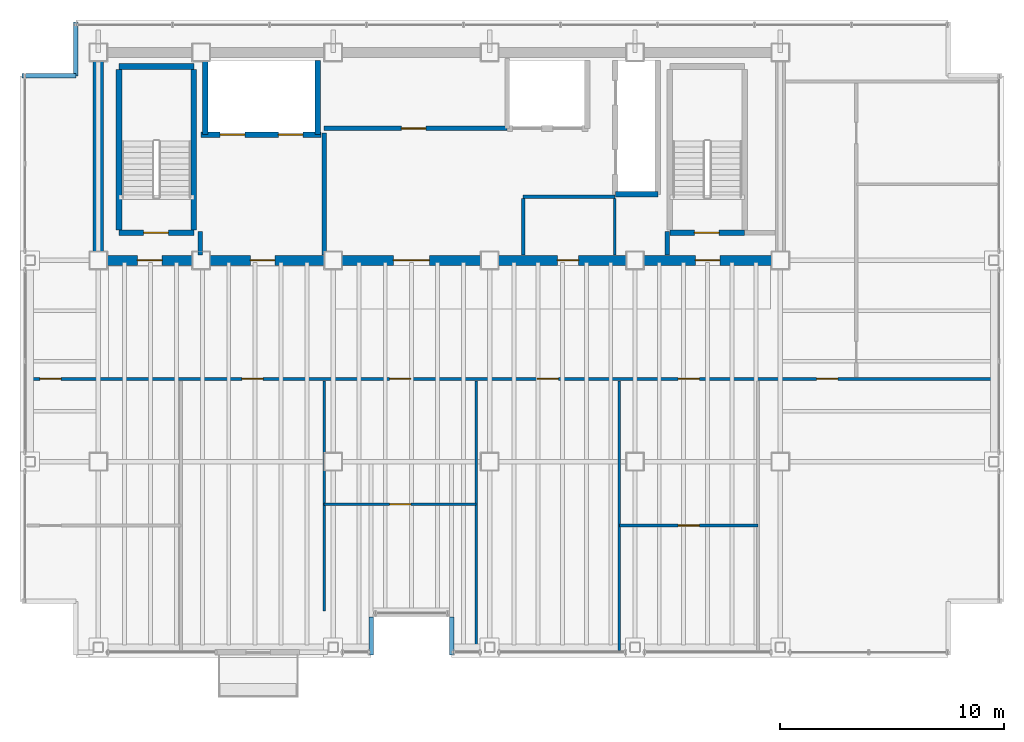
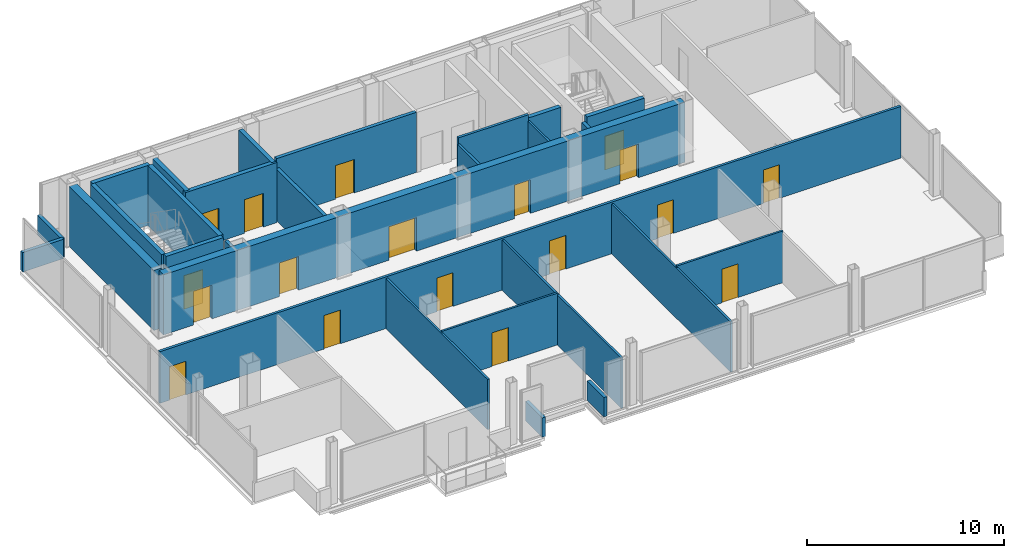
# One storey, part 13 of 15: 28 walls, 18 doors, 18 openings.
"""IFC4 building model written with IfcOpenShell, lengths in metres."""

import ifcopenshell
import ifcopenshell.guid

model = None  # the IFC model being written
_history = None  # IfcOwnerHistory: only IFC2X3 demands one
_inside = {}  # id of a spatial element -> (the spatial element, [elements in it])
_under = {}  # id of a project, library or spatial element -> (it, [spatial elements below it])
_declared = {}  # id of a project -> (the project, [libraries it declares])
_typed = {}  # id of a type object -> (the type object, [elements of that type])
_made_of = {}  # id of a material, layer set ... -> (it, [elements and type objects made of it])


def new_model(schema):
    """Start an empty IFC model of exactly this schema.

    Asked for "IFC4X3", IfcOpenShell would pick the latest addendum, in which some entities
    have other attributes; the version numbers below select the first issue.
    IFC2X3 requires an IfcOwnerHistory on every rooted entity: one is made here for all.
    """
    global model, _history
    if schema == "IFC4X3":
        model = ifcopenshell.file(schema_version=(4, 3, 0, 0))
    else:
        model = ifcopenshell.file(schema=schema)
    _inside.clear()
    _under.clear()
    _declared.clear()
    _typed.clear()
    _made_of.clear()
    _history = None
    if model.schema == "IFC2X3":
        org = make("IfcOrganization", Name="unknown")
        user = make(
            "IfcPersonAndOrganization",
            ThePerson=make("IfcPerson", FamilyName="unknown"),
            TheOrganization=org,
        )
        app = make(
            "IfcApplication",
            ApplicationDeveloper=org,
            Version="unknown",
            ApplicationFullName="unknown",
            ApplicationIdentifier="unknown",
        )
        _history = make(
            "IfcOwnerHistory",
            OwningUser=user,
            OwningApplication=app,
            ChangeAction="ADDED",
            CreationDate=0,
        )
    return model


def make(cls, **values):
    """One entity of the class cls with the attributes given. An attribute that is None is left unset."""
    return model.create_entity(
        cls, **{name: value for name, value in values.items() if value is not None}
    )


def rooted(cls, **values):
    """An entity with a GlobalId (a new one), such as an element, a storey or a relation."""
    return make(cls, GlobalId=ifcopenshell.guid.new(), OwnerHistory=_history, **values)


def si_unit(unit_type, name, prefix=None):
    """IfcSIUnit, for example si_unit("LENGTHUNIT", "METRE", prefix="MILLI")."""
    return make("IfcSIUnit", UnitType=unit_type, Prefix=prefix, Name=name)


def assignment(units):
    """IfcUnitAssignment: the units of a project."""
    return None if units is None else make("IfcUnitAssignment", Units=units)


def point(xyz):
    """IfcCartesianPoint."""
    return None if xyz is None else make("IfcCartesianPoint", Coordinates=xyz)


def direction(xyz):
    """IfcDirection."""
    return None if xyz is None else make("IfcDirection", DirectionRatios=xyz)


def frame(location, z_axis=None, x_axis=None):
    """IfcAxis2Placement3D, a coordinate frame: its origin and axes. An axis left out is left unset."""
    return make(
        "IfcAxis2Placement3D",
        Location=point(location),
        Axis=direction(z_axis),
        RefDirection=direction(x_axis),
    )


def frame_2d(location, x_axis=None):
    """IfcAxis2Placement2D, a coordinate frame in the plane: its origin and x axis."""
    return make(
        "IfcAxis2Placement2D", Location=point(location), RefDirection=direction(x_axis)
    )


def origin():
    """The frame at (0, 0, 0) with its axes left unset."""
    return frame((0.0, 0.0, 0.0))


def place(relative_to, where):
    """IfcLocalPlacement: puts the frame where relative to a parent placement (None: the world)."""
    return make(
        "IfcLocalPlacement", PlacementRelTo=relative_to, RelativePlacement=where
    )


def context(
    kind, dimensions, precision=None, world=None, true_north=None, identifier=None
):
    """IfcGeometricRepresentationContext, for example the 3D "Model" context."""
    return make(
        "IfcGeometricRepresentationContext",
        ContextIdentifier=identifier,
        ContextType=kind,
        CoordinateSpaceDimension=dimensions,
        Precision=precision,
        WorldCoordinateSystem=world,
        TrueNorth=true_north,
    )


def subcontext(parent, identifier, kind, view, scale=None):
    """IfcGeometricRepresentationSubContext, for example "Body" below "Model"."""
    return make(
        "IfcGeometricRepresentationSubContext",
        ContextIdentifier=identifier,
        ContextType=kind,
        ParentContext=parent,
        TargetScale=scale,
        TargetView=view,
    )


def project(units=None, contexts=None):
    """IfcProject with its units and contexts."""
    return rooted(
        "IfcProject",
        Name="project",
        RepresentationContexts=contexts,
        UnitsInContext=assignment(units),
    )


def spatial(cls, under=None, at=None, **own):
    """A site, building, storey or space (cls), placed at a placement, below another one or the project."""
    s = rooted(cls, ObjectPlacement=at, **own)
    if under is not None:
        _under.setdefault(under.id(), (under, []))[1].append(s)
    return s


def profile(cls, at=None, kind="AREA", **sizes):
    """A parametric profile (cls). Its sizes go by their IFC names, for example OverallWidth=200.0."""
    return make(cls, ProfileType=kind, Position=at, **sizes)


def rectangle(**sizes):
    """IfcRectangleProfileDef."""
    return profile("IfcRectangleProfileDef", **sizes)


def extrude(swept, where, along, depth):
    """IfcExtrudedAreaSolid: the profile swept, set in the frame where, extruded along a direction by depth."""
    return make(
        "IfcExtrudedAreaSolid",
        SweptArea=swept,
        Position=where,
        ExtrudedDirection=direction(along),
        Depth=depth,
    )


def shape(context_of_items, identifier, shape_type, items):
    """IfcShapeRepresentation: the items that make up one representation, for example the "Body"."""
    return make(
        "IfcShapeRepresentation",
        ContextOfItems=context_of_items,
        RepresentationIdentifier=identifier,
        RepresentationType=shape_type,
        Items=items,
    )


def material(Name=None, Category=None):
    """IfcMaterial."""
    return make("IfcMaterial", Name=Name, Category=Category)


def layer(
    of_material, thickness, ventilated=None, Name=None, Category=None, Priority=None
):
    """IfcMaterialLayer: one layer of a wall or slab, of a material (None: an air gap)."""
    return make(
        "IfcMaterialLayer",
        Material=of_material,
        LayerThickness=thickness,
        IsVentilated=ventilated,
        Name=Name,
        Category=Category,
        Priority=Priority,
    )


def layer_set(layers, Name=None):
    """IfcMaterialLayerSet."""
    return make("IfcMaterialLayerSet", MaterialLayers=layers, LayerSetName=Name)


def made_of(thing, what):
    """Note that an element or type object is made of a material, layer set ...; save() writes the relation."""
    if what is not None:
        _made_of.setdefault(what.id(), (what, []))[1].append(thing)
    return thing


def type_object(cls, material=None, **own):
    """A type object (cls), such as IfcWallType, which elements share."""
    return made_of(rooted(cls, **own), material)


def element(
    cls,
    number,
    at=None,
    inside=None,
    cuts=None,
    type_object=None,
    material=None,
    context=None,
    identifier="Body",
    shape_type=None,
    held_by="IfcProductDefinitionShape",
    body=None,
    shapes=None,
    **own,
):
    """One element of the class cls, such as IfcWall. Its Tag is "e" and its number.

    at: its placement. inside: the storey or other place that contains it. cuts: it is an
    opening in that element (IfcRelVoidsElement). A single representation is given by context,
    identifier, shape_type and body (its items); several are given by shapes. held_by: the class
    of the entity that holds the representations. save() writes the other relations.
    """
    e = rooted(cls, Tag="e%d" % number, ObjectPlacement=at, **own)
    if body is not None:
        shapes = [shape(context, identifier, shape_type, body)]
    if shapes is not None:
        e.Representation = make(held_by, Representations=shapes)
    if inside is not None:
        _inside.setdefault(inside.id(), (inside, []))[1].append(e)
    if cuts is not None:
        rooted(
            "IfcRelVoidsElement", RelatingBuildingElement=cuts, RelatedOpeningElement=e
        )
    if type_object is not None:
        _typed.setdefault(type_object.id(), (type_object, []))[1].append(e)
    return made_of(e, material)


def fill(opening, filler):
    """IfcRelFillsElement: the door or window that sits in an opening."""
    return rooted(
        "IfcRelFillsElement",
        RelatingOpeningElement=opening,
        RelatedBuildingElement=filler,
    )


def aggregate(whole, parts):
    """IfcRelAggregates: a whole, such as a stair, and the parts it consists of."""
    return rooted("IfcRelAggregates", RelatingObject=whole, RelatedObjects=parts)


def save(model, path):
    """Write the relations noted so far, then the file.

    IfcRelAggregates (storeys below a building ...), IfcRelContainedInSpatialStructure (elements
    in a storey), IfcRelDefinesByType, IfcRelAssociatesMaterial and IfcRelDeclares: one each for
    every whole, place, type object, material and project.
    """
    for whole, parts in _under.values():
        aggregate(whole, parts)
    for where, things in _inside.values():
        rooted(
            "IfcRelContainedInSpatialStructure",
            RelatedElements=things,
            RelatingStructure=where,
        )
    for kind, things in _typed.values():
        rooted("IfcRelDefinesByType", RelatedObjects=things, RelatingType=kind)
    for what, things in _made_of.values():
        rooted("IfcRelAssociatesMaterial", RelatedObjects=things, RelatingMaterial=what)
    for by, libraries in _declared.values():
        rooted("IfcRelDeclares", RelatingContext=by, RelatedDefinitions=libraries)
    model.write(path)


model = new_model("IFC4")

# Units and contexts
model_context = context("Model", 3, precision=1e-05, world=origin(), true_north=direction((0.0, 1.0)))
body_context = subcontext(model_context, "Body", "Model", "MODEL_VIEW")
ifc_project = project(units=[si_unit("LENGTHUNIT", "METRE"), si_unit("AREAUNIT", "SQUARE_METRE"), si_unit("VOLUMEUNIT", "CUBIC_METRE"), si_unit("PLANEANGLEUNIT", "RADIAN"), si_unit("MASSUNIT", "GRAM", prefix="KILO")], contexts=[model_context])

# Site, building, storey
site_placement = place(None, origin())
site = spatial("IfcSite", under=ifc_project, at=site_placement, CompositionType="ELEMENT")
building_placement = place(site_placement, origin())
building = spatial("IfcBuilding", under=site, at=building_placement, Name="Noeulbin Bourse Tower", CompositionType="ELEMENT")
storey_placement = place(building_placement, frame((0.0, 0.0, 218.89990234375)))
storey = spatial("IfcBuildingStorey", under=building, at=storey_placement, Name="L54", CompositionType="ELEMENT", Elevation=218.89990234375)

# Wall, openings, doors
ifc_material_1 = material(Name="Concrete C50/60", Category="concrete")
ifc_layer_1 = layer(ifc_material_1, 0.449951171875)
ifc_layer_set_1 = layer_set([ifc_layer_1], Name="Concrete C50/60")
wall_type_1 = type_object("IfcWallType", Name="WAL-CORE-450", PredefinedType="SHEAR", material=ifc_layer_set_1)
wall_1_placement = place(storey_placement, frame((13.5, 29.0, 0.0), z_axis=(0.0, 0.0, 1.0), x_axis=(1.0, 0.0, 0.0)))
wall_1 = element("IfcWall", 1, at=wall_1_placement, inside=storey, type_object=wall_type_1, Name="Rear Core South Shear Wall L54", PredefinedType="SHEAR", context=body_context, shape_type="SweptSolid", body=[
    extrude(rectangle(XDim=30.5, YDim=0.449951171875, at=frame_2d((15.25, 0.0))), origin(), (0.0, 0.0, 1.0), 3.72021484375),
])
opening_1_placement = place(wall_1_placement, frame((1.75, 0.0, 0.0)))
opening_1 = element("IfcOpeningElement", 2, at=opening_1_placement, cuts=wall_1, Name="Opening FD-11", PredefinedType="OPENING", context=body_context, shape_type="SweptSolid", body=[
    extrude(rectangle(XDim=1.10009765625, YDim=2.080078125, at=frame_2d((0.550048828125, 1.0400390625))), frame((0.0, 0.23486328125, 0.0), z_axis=(0.0, -1.0, 0.0), x_axis=(1.0, 0.0, 0.0)), (0.0, 0.0, 1.0), 0.469970703125),
])
opening_2_placement = place(wall_1_placement, frame((26.699951171875, 0.0, 0.0)))
opening_2 = element("IfcOpeningElement", 3, at=opening_2_placement, cuts=wall_1, Name="Opening FD-11", PredefinedType="OPENING", context=body_context, shape_type="SweptSolid", body=[
    extrude(rectangle(XDim=1.10009765625, YDim=2.080078125, at=frame_2d((0.550048828125, 1.0400390625))), frame((0.0, 0.23486328125, 0.0), z_axis=(0.0, -1.0, 0.0), x_axis=(1.0, 0.0, 0.0)), (0.0, 0.0, 1.0), 0.469970703125),
])
opening_3_placement = place(wall_1_placement, frame((6.800048828125, 0.0, 0.0)))
opening_3 = element("IfcOpeningElement", 4, at=opening_3_placement, cuts=wall_1, Name="Opening FD-11", PredefinedType="OPENING", context=body_context, shape_type="SweptSolid", body=[
    extrude(rectangle(XDim=1.10009765625, YDim=2.080078125, at=frame_2d((0.550048828125, 1.0400390625))), frame((0.0, 0.23486328125, 0.0), z_axis=(0.0, -1.0, 0.0), x_axis=(1.0, 0.0, 0.0)), (0.0, 0.0, 1.0), 0.469970703125),
])
opening_4_placement = place(wall_1_placement, frame((13.199951171875, 0.0, 0.0)))
opening_4 = element("IfcOpeningElement", 5, at=opening_4_placement, cuts=wall_1, Name="Opening ID-16", PredefinedType="OPENING", context=body_context, shape_type="SweptSolid", body=[
    extrude(rectangle(XDim=1.60009765625, YDim=2.080078125, at=frame_2d((0.800048828125, 1.0400390625))), frame((0.0, 0.23486328125, 0.0), z_axis=(0.0, -1.0, 0.0), x_axis=(1.0, 0.0, 0.0)), (0.0, 0.0, 1.0), 0.469970703125),
])
opening_5_placement = place(wall_1_placement, frame((20.52490234375, 0.0, 0.0)))
opening_5 = element("IfcOpeningElement", 6, at=opening_5_placement, cuts=wall_1, Name="Opening ID-09", PredefinedType="OPENING", context=body_context, shape_type="SweptSolid", body=[
    extrude(rectangle(XDim=0.949951171875, YDim=2.080078125, at=frame_2d((0.47509765625, 1.0400390625))), frame((0.0, 0.23486328125, 0.0), z_axis=(0.0, -1.0, 0.0), x_axis=(1.0, 0.0, 0.0)), (0.0, 0.0, 1.0), 0.469970703125),
])
ifc_material_2 = material(Name="Acoustic Glazed Aluminium", Category="aluminium")
door_type_1 = type_object("IfcDoorType", Name="DR-DBL-1600", OperationType="DOUBLE_DOOR_SINGLE_SWING", PredefinedType="DOOR", material=ifc_material_2)
door_1_placement = place(opening_4_placement, origin())
door_1 = element("IfcDoor", 7, at=door_1_placement, inside=storey, type_object=door_type_1, Name="Passenger Lift Lobby Portal L54", OperationType="DOUBLE_DOOR_SINGLE_SWING", OverallHeight=2.080078125, OverallWidth=1.60009765625, PredefinedType="DOOR", context=body_context, shape_type="SweptSolid", body=[
    extrude(rectangle(XDim=1.60009765625, YDim=2.080078125, at=frame_2d((0.800048828125, 1.0400390625))), frame((0.0, 0.02490234375, 0.0), z_axis=(0.0, -1.0, 0.0), x_axis=(1.0, 0.0, 0.0)), (0.0, 0.0, 1.0), 0.050048828125),
])
fill(opening_4, door_1)
ifc_material_3 = material(Name="Fire-Rated Insulated Steel", Category="steel")
door_type_2 = type_object("IfcDoorType", Name="DR-FD60-1100", OperationType="SINGLE_SWING_LEFT", PredefinedType="DOOR", material=ifc_material_3)
door_2_placement = place(opening_1_placement, origin())
door_2 = element("IfcDoor", 8, at=door_2_placement, inside=storey, type_object=door_type_2, Name="West Stair Lobby Door L54", OperationType="SINGLE_SWING_LEFT", OverallHeight=2.080078125, OverallWidth=1.10009765625, PredefinedType="DOOR", context=body_context, shape_type="SweptSolid", body=[
    extrude(rectangle(XDim=1.10009765625, YDim=2.080078125, at=frame_2d((0.550048828125, 1.0400390625))), frame((0.0, 0.02490234375, 0.0), z_axis=(0.0, -1.0, 0.0), x_axis=(1.0, 0.0, 0.0)), (0.0, 0.0, 1.0), 0.050048828125),
])
fill(opening_1, door_2)
door_3_placement = place(opening_2_placement, origin())
door_3 = element("IfcDoor", 9, at=door_3_placement, inside=storey, type_object=door_type_2, Name="East Stair Lobby Door L54", OperationType="SINGLE_SWING_RIGHT", OverallHeight=2.080078125, OverallWidth=1.10009765625, PredefinedType="DOOR", context=body_context, shape_type="SweptSolid", body=[
    extrude(rectangle(XDim=1.10009765625, YDim=2.080078125, at=frame_2d((0.550048828125, 1.0400390625))), frame((0.0, 0.02490234375, 0.0), z_axis=(0.0, -1.0, 0.0), x_axis=(1.0, 0.0, 0.0)), (0.0, 0.0, 1.0), 0.050048828125),
])
fill(opening_2, door_3)
door_4_placement = place(opening_3_placement, origin())
door_4 = element("IfcDoor", 10, at=door_4_placement, inside=storey, type_object=door_type_2, Name="Firefighting Lobby Door L54", OperationType="SINGLE_SWING_LEFT", OverallHeight=2.080078125, OverallWidth=1.10009765625, PredefinedType="DOOR", context=body_context, shape_type="SweptSolid", body=[
    extrude(rectangle(XDim=1.10009765625, YDim=2.080078125, at=frame_2d((0.550048828125, 1.0400390625))), frame((0.0, 0.02490234375, 0.0), z_axis=(0.0, -1.0, 0.0), x_axis=(1.0, 0.0, 0.0)), (0.0, 0.0, 1.0), 0.050048828125),
])
fill(opening_3, door_4)
ifc_material_4 = material(Name="Acoustic Solid-Core Timber", Category="wood")
door_type_3 = type_object("IfcDoorType", Name="DR-SINGLE-950", OperationType="SINGLE_SWING_LEFT", PredefinedType="DOOR", material=ifc_material_4)
door_5_placement = place(opening_5_placement, origin())
door_5 = element("IfcDoor", 11, at=door_5_placement, inside=storey, type_object=door_type_3, Name="Interior Door L54-06", OperationType="SINGLE_SWING_RIGHT", OverallHeight=2.080078125, OverallWidth=0.949951171875, PredefinedType="DOOR", context=body_context, shape_type="SweptSolid", body=[
    extrude(rectangle(XDim=0.949951171875, YDim=2.080078125, at=frame_2d((0.47509765625, 1.0400390625))), frame((0.0, 0.02490234375, 0.0), z_axis=(0.0, -1.0, 0.0), x_axis=(1.0, 0.0, 0.0)), (0.0, 0.0, 1.0), 0.050048828125),
])
fill(opening_5, door_5)

# Wall
wall_2_placement = place(storey_placement, frame((13.5, 29.35009765625, 0.0), z_axis=(0.0, 0.0, 1.0), x_axis=(0.0, 1.0, 0.0)))
element("IfcWall", 12, at=wall_2_placement, inside=storey, type_object=wall_type_1, Name="Rear Core West Shear Wall L54", PredefinedType="SHEAR", context=body_context, shape_type="SweptSolid", body=[
    extrude(rectangle(XDim=8.599853515625, YDim=0.449951171875, at=frame_2d((4.2998046875, 0.0))), origin(), (0.0, 0.0, 1.0), 3.72021484375),
])

# Wall, opening, door
ifc_material_5 = material(Name="Concrete C40/50", Category="concrete")
ifc_layer_2 = layer(ifc_material_5, 0.199951171875)
ifc_layer_set_2 = layer_set([ifc_layer_2], Name="Concrete C40/50")
wall_type_2 = type_object("IfcWallType", Name="WAL-FIRE-200", PredefinedType="STANDARD", material=ifc_layer_set_2)
wall_3_placement = place(storey_placement, frame((23.60009765625, 34.89990234375, 0.0), z_axis=(0.0, 0.0, 1.0), x_axis=(1.0, 0.0, 0.0)))
wall_3 = element("IfcWall", 13, at=wall_3_placement, inside=storey, type_object=wall_type_2, Name="Interior Partition Wall L54-02", PredefinedType="STANDARD", context=body_context, shape_type="SweptSolid", body=[
    extrude(rectangle(XDim=8.179931640625, YDim=0.199951171875, at=frame_2d((4.08984375, 0.0))), origin(), (0.0, 0.0, 1.0), 3.72021484375),
])
opening_6_placement = place(wall_3_placement, frame((3.449951171875, 0.0, 0.0)))
opening_6 = element("IfcOpeningElement", 14, at=opening_6_placement, cuts=wall_3, Name="Opening FD-11", PredefinedType="OPENING", context=body_context, shape_type="SweptSolid", body=[
    extrude(rectangle(XDim=1.10009765625, YDim=2.080078125, at=frame_2d((0.550048828125, 1.0400390625))), frame((0.0, 0.10986328125, 0.0), z_axis=(0.0, -1.0, 0.0), x_axis=(1.0, 0.0, 0.0)), (0.0, 0.0, 1.0), 0.219970703125),
])
door_6_placement = place(opening_6_placement, origin())
door_6 = element("IfcDoor", 15, at=door_6_placement, inside=storey, type_object=door_type_2, Name="Telemetry Server Door L54", OperationType="SINGLE_SWING_LEFT", OverallHeight=2.080078125, OverallWidth=1.10009765625, PredefinedType="DOOR", context=body_context, shape_type="SweptSolid", body=[
    extrude(rectangle(XDim=1.10009765625, YDim=2.080078125, at=frame_2d((0.550048828125, 1.0400390625))), frame((0.0, 0.02490234375, 0.0), z_axis=(0.0, -1.0, 0.0), x_axis=(1.0, 0.0, 0.0)), (0.0, 0.0, 1.0), 0.050048828125),
])
fill(opening_6, door_6)

# Walls
for number, where, z_axis, x_axis, name in (
    (16, (18.050048828125, 29.235107421875, 0.0), (0.0, 0.0, 1.0), (0.0, 1.0, 0.0), "Interior Partition Wall L54-10"),
    (17, (38.949951171875, 29.235107421875, 0.0), (0.0, 0.0, 1.0), (0.0, 1.0, 0.0), "Interior Partition Wall L54-11"),
):
    element("IfcWall", number, at=place(storey_placement, frame(where, z_axis=z_axis, x_axis=x_axis)), inside=storey, type_object=wall_type_2, Name=name, PredefinedType="STANDARD", context=body_context, shape_type="SweptSolid", body=[
        extrude(rectangle(XDim=1.06494140625, YDim=0.199951171875, at=frame_2d((0.532470703125, 0.0))), origin(), (0.0, 0.0, 1.0), 3.35009765625),
    ])
wall_4_placement = place(storey_placement, frame((23.60009765625, 29.235107421875, 0.0), z_axis=(0.0, 0.0, 1.0), x_axis=(0.0, 1.0, 0.0)))
element("IfcWall", 18, at=wall_4_placement, inside=storey, type_object=wall_type_2, Name="Interior Partition Wall L54-12", PredefinedType="STANDARD", context=body_context, shape_type="SweptSolid", body=[
    extrude(rectangle(XDim=5.46484375, YDim=0.199951171875, at=frame_2d((2.732421875, 0.0))), origin(), (0.0, 0.0, 1.0), 3.2001953125),
])
ifc_layer_3 = layer(ifc_material_5, 0.199951171875)
ifc_layer_set_3 = layer_set([ifc_layer_3], Name="Concrete C40/50")
wall_type_3 = type_object("IfcWallType", Name="WAL-PAR-200", PredefinedType="PARAPET", material=ifc_layer_set_3)
for number, where, z_axis, x_axis, name in (
    (19, (10.10009765625, 37.25, 0.0), (0.0, 0.0, 1.0), (1.0, 0.0, 0.0), "Corner Notch Parapet L54-NW1"),
    (20, (12.5, 37.25, 0.0), (0.0, 0.0, 1.0), (0.0, 1.0, 0.0), "Corner Notch Parapet L54-NW2"),
):
    element("IfcWall", number, at=place(storey_placement, frame(where, z_axis=z_axis, x_axis=x_axis)), inside=storey, type_object=wall_type_3, Name=name, PredefinedType="PARAPET", context=body_context, shape_type="SweptSolid", body=[
        extrude(rectangle(XDim=2.39990234375, YDim=0.199951171875, at=frame_2d((1.199951171875, 0.0))), origin(), (0.0, 0.0, 1.0), 1.2001953125),
    ])
for number, where, z_axis, x_axis, name in (
    (21, (25.699951171875, 11.35009765625, 0.0), (0.0, 0.0, 1.0), (0.0, 1.0, 0.0), "Sky-Garden Recess Parapet L54-W"),
    (22, (29.300048828125, 13.050048828125, 0.0), (0.0, 0.0, 1.0), (0.0, -1.0, 0.0), "Sky-Garden Recess Parapet L54-E"),
):
    element("IfcWall", number, at=place(storey_placement, frame(where, z_axis=z_axis, x_axis=x_axis)), inside=storey, type_object=wall_type_3, Name=name, PredefinedType="PARAPET", context=body_context, shape_type="SweptSolid", body=[
        extrude(rectangle(XDim=1.699951171875, YDim=0.199951171875, at=frame_2d((0.85009765625, 0.0))), origin(), (0.0, 0.0, 1.0), 1.2001953125),
    ])

# Wall, opening, door
ifc_material_6 = material(Name="Steel Stud Gypsum Partition", Category="steel")
ifc_layer_4 = layer(ifc_material_6, 0.1201171875)
ifc_layer_set_4 = layer_set([ifc_layer_4], Name="Steel Stud Gypsum Partition")
wall_type_4 = type_object("IfcWallType", Name="WAL-PRT-120", PredefinedType="PARTITIONING", material=ifc_layer_set_4)
wall_5_placement = place(storey_placement, frame((23.60009765625, 18.094970703125, 0.0), z_axis=(0.0, 0.0, 1.0), x_axis=(1.0, 0.0, 0.0)))
wall_5 = element("IfcWall", 23, at=wall_5_placement, inside=storey, type_object=wall_type_4, Name="Interior Partition Wall L54-07", PredefinedType="PARTITIONING", context=body_context, shape_type="SweptSolid", body=[
    extrude(rectangle(XDim=6.7998046875, YDim=0.1201171875, at=frame_2d((3.39990234375, 0.0))), origin(), (0.0, 0.0, 1.0), 3.2001953125),
])
opening_7_placement = place(wall_5_placement, frame((2.925048828125, 0.0, 0.0)))
opening_7 = element("IfcOpeningElement", 24, at=opening_7_placement, cuts=wall_5, Name="Opening ID-09", PredefinedType="OPENING", context=body_context, shape_type="SweptSolid", body=[
    extrude(rectangle(XDim=0.949951171875, YDim=2.080078125, at=frame_2d((0.47509765625, 1.0400390625))), frame((0.0, 0.070068359375, 0.0), z_axis=(0.0, -1.0, 0.0), x_axis=(1.0, 0.0, 0.0)), (0.0, 0.0, 1.0), 0.14013671875),
])
door_7_placement = place(opening_7_placement, origin())
door_7 = element("IfcDoor", 25, at=door_7_placement, inside=storey, type_object=door_type_3, Name="Interior Door L54-10", OperationType="SINGLE_SWING_RIGHT", OverallHeight=2.080078125, OverallWidth=0.949951171875, PredefinedType="DOOR", context=body_context, shape_type="SweptSolid", body=[
    extrude(rectangle(XDim=0.949951171875, YDim=2.080078125, at=frame_2d((0.47509765625, 1.0400390625))), frame((0.0, 0.02490234375, 0.0), z_axis=(0.0, -1.0, 0.0), x_axis=(1.0, 0.0, 0.0)), (0.0, 0.0, 1.0), 0.050048828125),
])
fill(opening_7, door_7)

wall_6_placement = place(storey_placement, frame((36.800048828125, 17.14404296875, 0.0), z_axis=(0.0, 0.0, 1.0), x_axis=(1.0, 0.0, 0.0)))
wall_6 = element("IfcWall", 26, at=wall_6_placement, inside=storey, type_object=wall_type_4, Name="Interior Partition Wall L54-08", PredefinedType="PARTITIONING", context=body_context, shape_type="SweptSolid", body=[
    extrude(rectangle(XDim=6.199951171875, YDim=0.1201171875, at=frame_2d((3.10009765625, 0.0))), origin(), (0.0, 0.0, 1.0), 3.2001953125),
])
opening_8_placement = place(wall_6_placement, frame((2.625, 0.0, 0.0)))
opening_8 = element("IfcOpeningElement", 27, at=opening_8_placement, cuts=wall_6, Name="Opening ID-09", PredefinedType="OPENING", context=body_context, shape_type="SweptSolid", body=[
    extrude(rectangle(XDim=0.949951171875, YDim=2.080078125, at=frame_2d((0.47509765625, 1.0400390625))), frame((0.0, 0.070068359375, 0.0), z_axis=(0.0, -1.0, 0.0), x_axis=(1.0, 0.0, 0.0)), (0.0, 0.0, 1.0), 0.14013671875),
])
door_8_placement = place(opening_8_placement, origin())
door_8 = element("IfcDoor", 28, at=door_8_placement, inside=storey, type_object=door_type_3, Name="Interior Door L54-13", OperationType="SINGLE_SWING_LEFT", OverallHeight=2.080078125, OverallWidth=0.949951171875, PredefinedType="DOOR", context=body_context, shape_type="SweptSolid", body=[
    extrude(rectangle(XDim=0.949951171875, YDim=2.080078125, at=frame_2d((0.47509765625, 1.0400390625))), frame((0.0, 0.02490234375, 0.0), z_axis=(0.0, -1.0, 0.0), x_axis=(1.0, 0.0, 0.0)), (0.0, 0.0, 1.0), 0.050048828125),
])
fill(opening_8, door_8)

# Walls
wall_7_placement = place(storey_placement, frame((36.60009765625, 29.235107421875, 0.0), z_axis=(0.0, 0.0, 1.0), x_axis=(0.0, 1.0, 0.0)))
element("IfcWall", 29, at=wall_7_placement, inside=storey, type_object=wall_type_4, Name="Interior Partition Wall L54-14", PredefinedType="PARTITIONING", context=body_context, shape_type="SweptSolid", body=[
    extrude(rectangle(XDim=2.52978515625, YDim=0.1201171875, at=frame_2d((1.264892578125, 0.0))), origin(), (0.0, 0.0, 1.0), 3.35009765625),
])
wall_8_placement = place(storey_placement, frame((23.60009765625, 13.320068359375, 0.0), z_axis=(0.0, 0.0, 1.0), x_axis=(0.0, 1.0, 0.0)))
element("IfcWall", 30, at=wall_8_placement, inside=storey, type_object=wall_type_4, Name="Interior Partition Wall L54-17", PredefinedType="PARTITIONING", context=body_context, shape_type="SweptSolid", body=[
    extrude(rectangle(XDim=10.294921875, YDim=0.1201171875, at=frame_2d((5.1474609375, 0.0))), origin(), (0.0, 0.0, 1.0), 3.10009765625),
])
for number, where, z_axis, x_axis, name in (
    (31, (30.39990234375, 11.56005859375, 0.0), (0.0, 0.0, 1.0), (0.0, 1.0, 0.0), "Interior Partition Wall L54-18"),
    (32, (36.800048828125, 11.56005859375, 0.0), (0.0, 0.0, 1.0), (0.0, 1.0, 0.0), "Interior Partition Wall L54-19"),
):
    element("IfcWall", number, at=place(storey_placement, frame(where, z_axis=z_axis, x_axis=x_axis)), inside=storey, type_object=wall_type_4, Name=name, PredefinedType="PARTITIONING", context=body_context, shape_type="SweptSolid", body=[
        extrude(rectangle(XDim=12.054931640625, YDim=0.1201171875, at=frame_2d((6.02734375, 0.0))), origin(), (0.0, 0.0, 1.0), 3.10009765625),
    ])
ifc_material_7 = material(Name="Steel Stud Acoustic Gypsum Board", Category="steel")
ifc_layer_5 = layer(ifc_material_7, 0.14990234375)
ifc_layer_set_5 = layer_set([ifc_layer_5], Name="Steel Stud Acoustic Gypsum Board")
wall_type_5 = type_object("IfcWallType", Name="WAL-PRT-150", PredefinedType="PARTITIONING", material=ifc_layer_set_5)
wall_9_placement = place(storey_placement, frame((32.5, 31.85009765625, 0.0), z_axis=(0.0, 0.0, 1.0), x_axis=(1.0, 0.0, 0.0)))
element("IfcWall", 33, at=wall_9_placement, inside=storey, type_object=wall_type_5, Name="Interior Partition Wall L54-03", PredefinedType="PARTITIONING", context=body_context, shape_type="SweptSolid", body=[
    extrude(rectangle(XDim=4.10009765625, YDim=0.14990234375, at=frame_2d((2.050048828125, 0.0))), origin(), (0.0, 0.0, 1.0), 3.72021484375),
])

# Wall, openings, doors
wall_10_placement = place(storey_placement, frame((10.31005859375, 23.699951171875, 0.0), z_axis=(0.0, 0.0, 1.0), x_axis=(1.0, 0.0, 0.0)))
wall_10 = element("IfcWall", 34, at=wall_10_placement, inside=storey, type_object=wall_type_5, Name="Interior Partition Wall L54-04", PredefinedType="PARTITIONING", context=body_context, shape_type="SweptSolid", body=[
    extrude(rectangle(XDim=43.3798828125, YDim=0.14990234375, at=frame_2d((21.68994140625, 0.0))), origin(), (0.0, 0.0, 1.0), 3.2001953125),
])
opening_9_placement = place(wall_10_placement, frame((0.574951171875, 0.0, 0.0)))
opening_9 = element("IfcOpeningElement", 35, at=opening_9_placement, cuts=wall_10, Name="Opening ID-09", PredefinedType="OPENING", context=body_context, shape_type="SweptSolid", body=[
    extrude(rectangle(XDim=0.949951171875, YDim=2.080078125, at=frame_2d((0.47509765625, 1.0400390625))), frame((0.0, 0.0849609375, 0.0), z_axis=(0.0, -1.0, 0.0), x_axis=(1.0, 0.0, 0.0)), (0.0, 0.0, 1.0), 0.169921875),
])
opening_10_placement = place(wall_10_placement, frame((9.614990234375, 0.0, 0.0)))
opening_10 = element("IfcOpeningElement", 36, at=opening_10_placement, cuts=wall_10, Name="Opening ID-09", PredefinedType="OPENING", context=body_context, shape_type="SweptSolid", body=[
    extrude(rectangle(XDim=0.949951171875, YDim=2.080078125, at=frame_2d((0.47509765625, 1.0400390625))), frame((0.0, 0.0849609375, 0.0), z_axis=(0.0, -1.0, 0.0), x_axis=(1.0, 0.0, 0.0)), (0.0, 0.0, 1.0), 0.169921875),
])
opening_11_placement = place(wall_10_placement, frame((16.215087890625, 0.0, 0.0)))
opening_11 = element("IfcOpeningElement", 37, at=opening_11_placement, cuts=wall_10, Name="Opening ID-09", PredefinedType="OPENING", context=body_context, shape_type="SweptSolid", body=[
    extrude(rectangle(XDim=0.949951171875, YDim=2.080078125, at=frame_2d((0.47509765625, 1.0400390625))), frame((0.0, 0.0849609375, 0.0), z_axis=(0.0, -1.0, 0.0), x_axis=(1.0, 0.0, 0.0)), (0.0, 0.0, 1.0), 0.169921875),
])
opening_12_placement = place(wall_10_placement, frame((22.81494140625, 0.0, 0.0)))
opening_12 = element("IfcOpeningElement", 38, at=opening_12_placement, cuts=wall_10, Name="Opening ID-09", PredefinedType="OPENING", context=body_context, shape_type="SweptSolid", body=[
    extrude(rectangle(XDim=0.949951171875, YDim=2.080078125, at=frame_2d((0.47509765625, 1.0400390625))), frame((0.0, 0.0849609375, 0.0), z_axis=(0.0, -1.0, 0.0), x_axis=(1.0, 0.0, 0.0)), (0.0, 0.0, 1.0), 0.169921875),
])
opening_13_placement = place(wall_10_placement, frame((29.114990234375, 0.0, 0.0)))
opening_13 = element("IfcOpeningElement", 39, at=opening_13_placement, cuts=wall_10, Name="Opening ID-09", PredefinedType="OPENING", context=body_context, shape_type="SweptSolid", body=[
    extrude(rectangle(XDim=0.949951171875, YDim=2.080078125, at=frame_2d((0.47509765625, 1.0400390625))), frame((0.0, 0.0849609375, 0.0), z_axis=(0.0, -1.0, 0.0), x_axis=(1.0, 0.0, 0.0)), (0.0, 0.0, 1.0), 0.169921875),
])
opening_14_placement = place(wall_10_placement, frame((35.31494140625, 0.0, 0.0)))
opening_14 = element("IfcOpeningElement", 40, at=opening_14_placement, cuts=wall_10, Name="Opening ID-09", PredefinedType="OPENING", context=body_context, shape_type="SweptSolid", body=[
    extrude(rectangle(XDim=0.949951171875, YDim=2.080078125, at=frame_2d((0.47509765625, 1.0400390625))), frame((0.0, 0.0849609375, 0.0), z_axis=(0.0, -1.0, 0.0), x_axis=(1.0, 0.0, 0.0)), (0.0, 0.0, 1.0), 0.169921875),
])
door_9_placement = place(opening_9_placement, origin())
door_9 = element("IfcDoor", 41, at=door_9_placement, inside=storey, type_object=door_type_3, Name="Interior Door L54-08", OperationType="SINGLE_SWING_RIGHT", OverallHeight=2.080078125, OverallWidth=0.949951171875, PredefinedType="DOOR", context=body_context, shape_type="SweptSolid", body=[
    extrude(rectangle(XDim=0.949951171875, YDim=2.080078125, at=frame_2d((0.47509765625, 1.0400390625))), frame((0.0, 0.02490234375, 0.0), z_axis=(0.0, -1.0, 0.0), x_axis=(1.0, 0.0, 0.0)), (0.0, 0.0, 1.0), 0.050048828125),
])
fill(opening_9, door_9)
door_10_placement = place(opening_10_placement, origin())
door_10 = element("IfcDoor", 42, at=door_10_placement, inside=storey, type_object=door_type_3, Name="Interior Door L54-09", OperationType="SINGLE_SWING_LEFT", OverallHeight=2.080078125, OverallWidth=0.949951171875, PredefinedType="DOOR", context=body_context, shape_type="SweptSolid", body=[
    extrude(rectangle(XDim=0.949951171875, YDim=2.080078125, at=frame_2d((0.47509765625, 1.0400390625))), frame((0.0, 0.02490234375, 0.0), z_axis=(0.0, -1.0, 0.0), x_axis=(1.0, 0.0, 0.0)), (0.0, 0.0, 1.0), 0.050048828125),
])
fill(opening_10, door_10)
door_11_placement = place(opening_11_placement, origin())
door_11 = element("IfcDoor", 43, at=door_11_placement, inside=storey, type_object=door_type_3, Name="Interior Door L54-11", OperationType="SINGLE_SWING_LEFT", OverallHeight=2.080078125, OverallWidth=0.949951171875, PredefinedType="DOOR", context=body_context, shape_type="SweptSolid", body=[
    extrude(rectangle(XDim=0.949951171875, YDim=2.080078125, at=frame_2d((0.47509765625, 1.0400390625))), frame((0.0, 0.02490234375, 0.0), z_axis=(0.0, -1.0, 0.0), x_axis=(1.0, 0.0, 0.0)), (0.0, 0.0, 1.0), 0.050048828125),
])
fill(opening_11, door_11)
door_12_placement = place(opening_12_placement, origin())
door_12 = element("IfcDoor", 44, at=door_12_placement, inside=storey, type_object=door_type_3, Name="Interior Door L54-12", OperationType="SINGLE_SWING_RIGHT", OverallHeight=2.080078125, OverallWidth=0.949951171875, PredefinedType="DOOR", context=body_context, shape_type="SweptSolid", body=[
    extrude(rectangle(XDim=0.949951171875, YDim=2.080078125, at=frame_2d((0.47509765625, 1.0400390625))), frame((0.0, 0.02490234375, 0.0), z_axis=(0.0, -1.0, 0.0), x_axis=(1.0, 0.0, 0.0)), (0.0, 0.0, 1.0), 0.050048828125),
])
fill(opening_12, door_12)
door_13_placement = place(opening_13_placement, origin())
door_13 = element("IfcDoor", 45, at=door_13_placement, inside=storey, type_object=door_type_3, Name="Interior Door L54-14", OperationType="SINGLE_SWING_RIGHT", OverallHeight=2.080078125, OverallWidth=0.949951171875, PredefinedType="DOOR", context=body_context, shape_type="SweptSolid", body=[
    extrude(rectangle(XDim=0.949951171875, YDim=2.080078125, at=frame_2d((0.47509765625, 1.0400390625))), frame((0.0, 0.02490234375, 0.0), z_axis=(0.0, -1.0, 0.0), x_axis=(1.0, 0.0, 0.0)), (0.0, 0.0, 1.0), 0.050048828125),
])
fill(opening_13, door_13)
door_14_placement = place(opening_14_placement, origin())
door_14 = element("IfcDoor", 46, at=door_14_placement, inside=storey, type_object=door_type_3, Name="Interior Door L54-15", OperationType="SINGLE_SWING_LEFT", OverallHeight=2.080078125, OverallWidth=0.949951171875, PredefinedType="DOOR", context=body_context, shape_type="SweptSolid", body=[
    extrude(rectangle(XDim=0.949951171875, YDim=2.080078125, at=frame_2d((0.47509765625, 1.0400390625))), frame((0.0, 0.02490234375, 0.0), z_axis=(0.0, -1.0, 0.0), x_axis=(1.0, 0.0, 0.0)), (0.0, 0.0, 1.0), 0.050048828125),
])
fill(opening_14, door_14)

# Wall
wall_11_placement = place(storey_placement, frame((32.5, 29.235107421875, 0.0), z_axis=(0.0, 0.0, 1.0), x_axis=(0.0, 1.0, 0.0)))
element("IfcWall", 47, at=wall_11_placement, inside=storey, type_object=wall_type_5, Name="Interior Partition Wall L54-13", PredefinedType="PARTITIONING", context=body_context, shape_type="SweptSolid", body=[
    extrude(rectangle(XDim=2.52978515625, YDim=0.14990234375, at=frame_2d((1.264892578125, 0.0))), origin(), (0.0, 0.0, 1.0), 3.35009765625),
])

# Wall, opening, door
ifc_layer_6 = layer(ifc_material_5, 0.25)
ifc_layer_set_6 = layer_set([ifc_layer_6], Name="Concrete C40/50")
wall_type_6 = type_object("IfcWallType", Name="WAL-SHFT-250", PredefinedType="STANDARD", material=ifc_layer_set_6)
wall_12_placement = place(storey_placement, frame((14.429931640625, 30.235107421875, 0.0), z_axis=(0.0, 0.0, 1.0), x_axis=(1.0, 0.0, 0.0)))
wall_12 = element("IfcWall", 48, at=wall_12_placement, inside=storey, type_object=wall_type_6, Name="Stair ST-1 South Shaft Wall L54", PredefinedType="STANDARD", context=body_context, shape_type="SweptSolid", body=[
    extrude(rectangle(XDim=3.340087890625, YDim=0.25, at=frame_2d((1.669921875, 0.0))), origin(), (0.0, 0.0, 1.0), 3.72021484375),
])
opening_15_placement = place(wall_12_placement, frame((1.10009765625, 0.0, 0.0)))
opening_15 = element("IfcOpeningElement", 49, at=opening_15_placement, cuts=wall_12, Name="Opening FD-11", PredefinedType="OPENING", context=body_context, shape_type="SweptSolid", body=[
    extrude(rectangle(XDim=1.10009765625, YDim=2.080078125, at=frame_2d((0.550048828125, 1.0400390625))), frame((0.0, 0.135009765625, 0.0), z_axis=(0.0, -1.0, 0.0), x_axis=(1.0, 0.0, 0.0)), (0.0, 0.0, 1.0), 0.27001953125),
])
door_15_placement = place(opening_15_placement, origin())
door_15 = element("IfcDoor", 50, at=door_15_placement, inside=storey, type_object=door_type_2, Name="Protected Stair Entry Door ST1-L54", OperationType="SINGLE_SWING_LEFT", OverallHeight=2.080078125, OverallWidth=1.10009765625, PredefinedType="DOOR", context=body_context, shape_type="SweptSolid", body=[
    extrude(rectangle(XDim=1.10009765625, YDim=2.080078125, at=frame_2d((0.550048828125, 1.0400390625))), frame((0.0, 0.02490234375, 0.0), z_axis=(0.0, -1.0, 0.0), x_axis=(1.0, 0.0, 0.0)), (0.0, 0.0, 1.0), 0.050048828125),
])
fill(opening_15, door_15)

# Walls
wall_13_placement = place(storey_placement, frame((14.429931640625, 37.6689453125, 0.0), z_axis=(0.0, 0.0, 1.0), x_axis=(1.0, 0.0, 0.0)))
element("IfcWall", 51, at=wall_13_placement, inside=storey, type_object=wall_type_6, Name="Stair ST-1 North Shaft Wall L54", PredefinedType="STANDARD", context=body_context, shape_type="SweptSolid", body=[
    extrude(rectangle(XDim=3.340087890625, YDim=0.25, at=frame_2d((1.669921875, 0.0))), origin(), (0.0, 0.0, 1.0), 3.72021484375),
])
for number, where, z_axis, x_axis, name in (
    (52, (14.425048828125, 30.360107421875, 0.0), (0.0, 0.0, 1.0), (0.0, 1.0, 0.0), "Stair ST-1 West Shaft Wall L54"),
    (53, (17.77490234375, 30.360107421875, 0.0), (0.0, 0.0, 1.0), (0.0, 1.0, 0.0), "Stair ST-1 East Shaft Wall L54"),
):
    element("IfcWall", number, at=place(storey_placement, frame(where, z_axis=z_axis, x_axis=x_axis)), inside=storey, type_object=wall_type_6, Name=name, PredefinedType="STANDARD", context=body_context, shape_type="SweptSolid", body=[
        extrude(rectangle(XDim=7.183837890625, YDim=0.25, at=frame_2d((3.591796875, 0.0))), origin(), (0.0, 0.0, 1.0), 3.72021484375),
    ])

# Wall, opening, door
wall_14_placement = place(storey_placement, frame((39.06005859375, 30.235107421875, 0.0), z_axis=(0.0, 0.0, 1.0), x_axis=(1.0, 0.0, 0.0)))
wall_14 = element("IfcWall", 54, at=wall_14_placement, inside=storey, type_object=wall_type_6, Name="Stair ST-2 South Shaft Wall L54", PredefinedType="STANDARD", context=body_context, shape_type="SweptSolid", body=[
    extrude(rectangle(XDim=3.33984375, YDim=0.25, at=frame_2d((1.669921875, 0.0))), origin(), (0.0, 0.0, 1.0), 3.72021484375),
])
opening_16_placement = place(wall_14_placement, frame((1.10009765625, 0.0, 0.0)))
opening_16 = element("IfcOpeningElement", 55, at=opening_16_placement, cuts=wall_14, Name="Opening FD-11", PredefinedType="OPENING", context=body_context, shape_type="SweptSolid", body=[
    extrude(rectangle(XDim=1.10009765625, YDim=2.080078125, at=frame_2d((0.550048828125, 1.0400390625))), frame((0.0, 0.135009765625, 0.0), z_axis=(0.0, -1.0, 0.0), x_axis=(1.0, 0.0, 0.0)), (0.0, 0.0, 1.0), 0.27001953125),
])
door_16_placement = place(opening_16_placement, origin())
door_16 = element("IfcDoor", 56, at=door_16_placement, inside=storey, type_object=door_type_2, Name="Protected Stair Entry Door ST2-L54", OperationType="SINGLE_SWING_RIGHT", OverallHeight=2.080078125, OverallWidth=1.10009765625, PredefinedType="DOOR", context=body_context, shape_type="SweptSolid", body=[
    extrude(rectangle(XDim=1.10009765625, YDim=2.080078125, at=frame_2d((0.550048828125, 1.0400390625))), frame((0.0, 0.02490234375, 0.0), z_axis=(0.0, -1.0, 0.0), x_axis=(1.0, 0.0, 0.0)), (0.0, 0.0, 1.0), 0.050048828125),
])
fill(opening_16, door_16)

# Wall, openings, doors
wall_15_placement = place(storey_placement, frame((18.10009765625, 34.6201171875, 0.0), z_axis=(0.0, 0.0, 1.0), x_axis=(1.0, 0.0, 0.0)))
wall_15 = element("IfcWall", 57, at=wall_15_placement, inside=storey, type_object=wall_type_6, Name="Firefighting Lift Shaft Front L54", PredefinedType="STANDARD", context=body_context, shape_type="SweptSolid", body=[
    extrude(rectangle(XDim=5.349853515625, YDim=0.25, at=frame_2d((2.6748046875, 0.0))), origin(), (0.0, 0.0, 1.0), 3.72021484375),
])
opening_17_placement = place(wall_15_placement, frame((0.85009765625, 0.0, 0.0)))
opening_17 = element("IfcOpeningElement", 58, at=opening_17_placement, cuts=wall_15, Name="Opening LD-11", PredefinedType="OPENING", context=body_context, shape_type="SweptSolid", body=[
    extrude(rectangle(XDim=1.10009765625, YDim=2.080078125, at=frame_2d((0.550048828125, 1.0400390625))), frame((0.0, 0.135009765625, 0.0), z_axis=(0.0, -1.0, 0.0), x_axis=(1.0, 0.0, 0.0)), (0.0, 0.0, 1.0), 0.27001953125),
])
opening_18_placement = place(wall_15_placement, frame((3.449951171875, 0.0, 0.0)))
opening_18 = element("IfcOpeningElement", 59, at=opening_18_placement, cuts=wall_15, Name="Opening LD-11", PredefinedType="OPENING", context=body_context, shape_type="SweptSolid", body=[
    extrude(rectangle(XDim=1.10009765625, YDim=2.080078125, at=frame_2d((0.550048828125, 1.0400390625))), frame((0.0, 0.135009765625, 0.0), z_axis=(0.0, -1.0, 0.0), x_axis=(1.0, 0.0, 0.0)), (0.0, 0.0, 1.0), 0.27001953125),
])
ifc_material_8 = material(Name="Brushed Stainless Steel 316", Category="steel")
door_type_4 = type_object("IfcDoorType", Name="DR-LIFT-1100", OperationType="SLIDING_TO_LEFT", PredefinedType="DOOR", material=ifc_material_8)
door_17_placement = place(opening_17_placement, origin())
door_17 = element("IfcDoor", 60, at=door_17_placement, inside=storey, type_object=door_type_4, Name="Lift Landing Door LD-FL-01-L54", OperationType="SLIDING_TO_LEFT", OverallHeight=2.080078125, OverallWidth=1.10009765625, PredefinedType="DOOR", context=body_context, shape_type="SweptSolid", body=[
    extrude(rectangle(XDim=1.10009765625, YDim=2.080078125, at=frame_2d((0.550048828125, 1.0400390625))), frame((0.0, 0.02490234375, 0.0), z_axis=(0.0, -1.0, 0.0), x_axis=(1.0, 0.0, 0.0)), (0.0, 0.0, 1.0), 0.050048828125),
])
fill(opening_17, door_17)
door_18_placement = place(opening_18_placement, origin())
door_18 = element("IfcDoor", 61, at=door_18_placement, inside=storey, type_object=door_type_4, Name="Lift Landing Door LD-FL-02-L54", OperationType="SLIDING_TO_LEFT", OverallHeight=2.080078125, OverallWidth=1.10009765625, PredefinedType="DOOR", context=body_context, shape_type="SweptSolid", body=[
    extrude(rectangle(XDim=1.10009765625, YDim=2.080078125, at=frame_2d((0.550048828125, 1.0400390625))), frame((0.0, 0.02490234375, 0.0), z_axis=(0.0, -1.0, 0.0), x_axis=(1.0, 0.0, 0.0)), (0.0, 0.0, 1.0), 0.050048828125),
])
fill(opening_18, door_18)

# Walls
wall_16_placement = place(storey_placement, frame((36.6201171875, 31.949951171875, 0.0), z_axis=(0.0, 0.0, 1.0), x_axis=(1.0, 0.0, 0.0)))
element("IfcWall", 62, at=wall_16_placement, inside=storey, type_object=wall_type_6, Name="Service Lift South Shaft Wall L54", PredefinedType="STANDARD", context=body_context, shape_type="SweptSolid", body=[
    extrude(rectangle(XDim=1.89990234375, YDim=0.25, at=frame_2d((0.949951171875, 0.0))), origin(), (0.0, 0.0, 1.0), 3.47998046875),
])
for number, where, z_axis, x_axis, name in (
    (63, (18.280029296875, 34.6201171875, 0.0), (0.0, 0.0, 1.0), (0.0, 1.0, 0.0), "Firefighting Lift West Shaft Wall L54"),
    (64, (23.320068359375, 34.6201171875, 0.0), (0.0, 0.0, 1.0), (0.0, 1.0, 0.0), "Firefighting Lift East Shaft Wall L54"),
):
    element("IfcWall", number, at=place(storey_placement, frame(where, z_axis=z_axis, x_axis=x_axis)), inside=storey, type_object=wall_type_6, Name=name, PredefinedType="STANDARD", context=body_context, shape_type="SweptSolid", body=[
        extrude(rectangle(XDim=3.329833984375, YDim=0.25, at=frame_2d((1.6650390625, 0.0))), origin(), (0.0, 0.0, 1.0), 3.72021484375),
    ])

save(model, "model.ifc")
